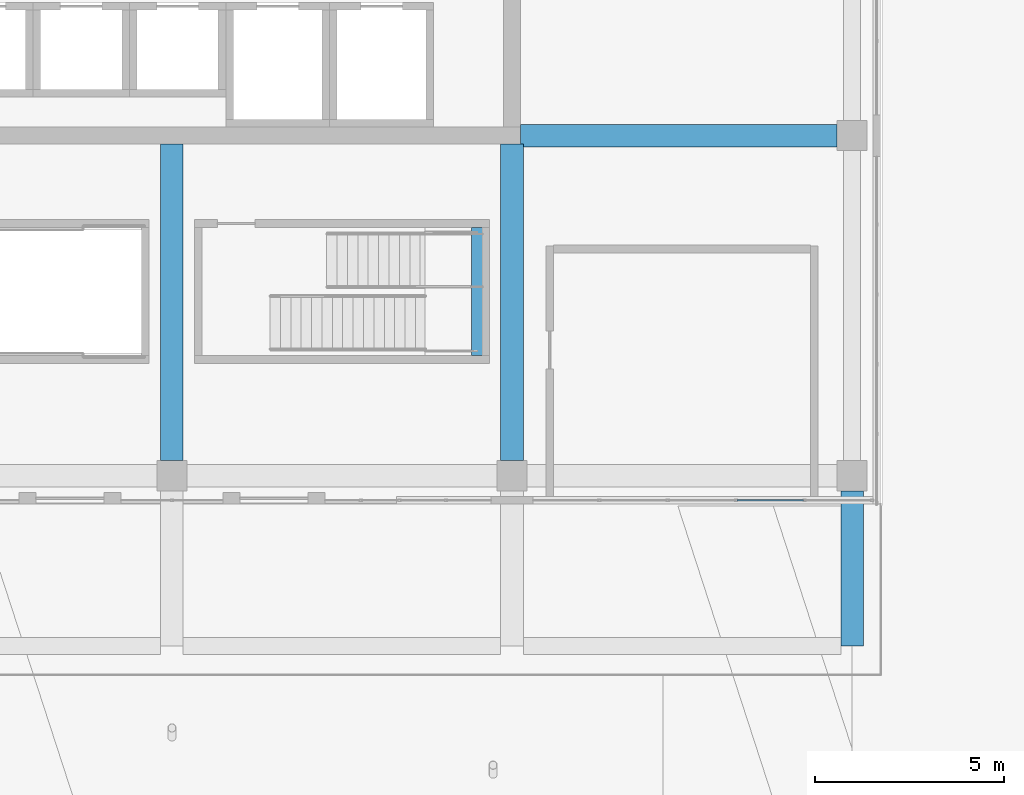
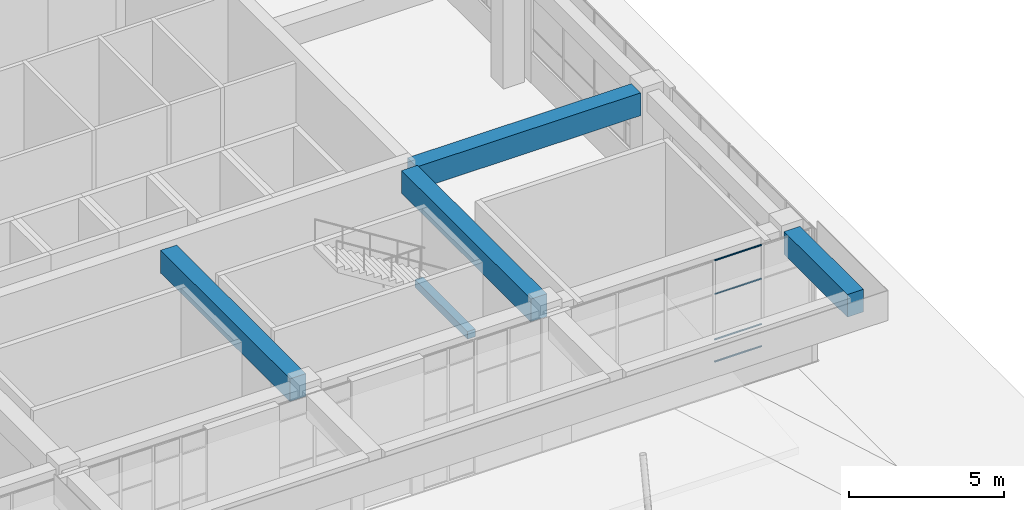
# One storey, part 33 of 72: 5 beams, 4 members, 1 element without a shape of its own.
"""IFC4 building model written with IfcOpenShell, lengths in metres."""

from ifc_helpers import new_model, si_unit, direction, frame, origin, origin_2d, place, context, subcontext, project, spatial, rectangle, hollow_rectangle, extrude, material, layer, layer_set, material_profile, profile_set, type_object, element, aggregate, save


model = new_model("IFC4")

# Units and contexts
model_context = context("Model", 3, precision=1e-05, world=origin(), true_north=direction((0.0, 1.0)))
body_context = subcontext(model_context, "Body", "Model", "MODEL_VIEW")
ifc_project = project(units=[si_unit("LENGTHUNIT", "METRE"), si_unit("AREAUNIT", "SQUARE_METRE"), si_unit("VOLUMEUNIT", "CUBIC_METRE"), si_unit("PLANEANGLEUNIT", "RADIAN"), si_unit("MASSUNIT", "GRAM", prefix="KILO")], contexts=[model_context])

# Site, building, storey
site_placement = place(None, origin())
site = spatial("IfcSite", under=ifc_project, at=site_placement, CompositionType="ELEMENT")
building_placement = place(site_placement, origin())
building = spatial("IfcBuilding", under=site, at=building_placement, Name="Tuart Plaza Theatre", CompositionType="ELEMENT")
storey_placement = place(building_placement, origin())
storey = spatial("IfcBuildingStorey", under=building, at=storey_placement, Name="L00", CompositionType="ELEMENT", Elevation=0.0)

# Beams
ifc_material_1 = material(Name="Concrete N40 (40 MPa)", Category="concrete")
ifc_material_profile_1 = material_profile(ifc_material_1, rectangle(XDim=0.300048828125, YDim=0.300048828125, at=origin_2d()), Name="BEAM 300x300 Concrete N40 (40 MPa)")
ifc_profile_set_1 = profile_set([ifc_material_profile_1], Name="Concrete N40 (40 MPa)")
beam_type_1 = type_object("IfcBeamType", Name="BEAM 300x300 Concrete N40 (40 MPa)", PredefinedType="BEAM", material=ifc_profile_set_1)
beam_1_placement = place(storey_placement, frame((140.080078125, 59.175048828125, 2.39990234375), z_axis=(0.0, 1.0, 0.0), x_axis=(-1.0, 0.0, 0.0)))
element("IfcBeam", 1, at=beam_1_placement, inside=storey, type_object=beam_type_1, Name="RB496", PredefinedType="BEAM", context=body_context, shape_type="SweptSolid", body=[
    extrude(rectangle(XDim=0.300048828125, YDim=0.300048828125, at=origin_2d()), origin(), (0.0, 0.0, 1.0), 3.39990234375),
])
ifc_material_2 = material(Name="Concrete N40 (40 MPa)", Category="concrete")
ifc_material_profile_2 = material_profile(ifc_material_2, rectangle(XDim=0.60009765625, YDim=0.89990234375, at=origin_2d()), Name="BEAM 600x900 Concrete N40 (40 MPa)")
ifc_profile_set_2 = profile_set([ifc_material_profile_2], Name="Concrete N40 (40 MPa)")
beam_type_2 = type_object("IfcBeamType", Name="BEAM 600x900 Concrete N40 (40 MPa)", PredefinedType="BEAM", material=ifc_profile_set_2)
for number, where, z_axis, x_axis, name in (
    (2, (132.0, 56.39990234375, 4.800048828125), (0.0, 1.0, 0.0), (-1.0, 0.0, 0.0), "RB143"),
    (3, (141.0, 56.39990234375, 4.800048828125), (0.0, 1.0, 0.0), (-1.0, 0.0, 0.0), "RB150"),
    (4, (141.22509765625, 65.0, 4.800048828125), (1.0, 0.0, 0.0), (0.0, 1.0, 0.0), "RB154"),
):
    element("IfcBeam", number, at=place(storey_placement, frame(where, z_axis=z_axis, x_axis=x_axis)), inside=storey, type_object=beam_type_2, Name=name, PredefinedType="BEAM", context=body_context, shape_type="SweptSolid", body=[
        extrude(rectangle(XDim=0.60009765625, YDim=0.89990234375, at=origin_2d()), origin(), (0.0, 0.0, 1.0), 8.375),
    ])
beam_2_placement = place(storey_placement, frame((150.0, 51.5, 4.800048828125), z_axis=(0.0, 1.0, 0.0), x_axis=(-1.0, 0.0, 0.0)))
element("IfcBeam", 5, at=beam_2_placement, inside=storey, type_object=beam_type_2, Name="RB157", PredefinedType="BEAM", context=body_context, shape_type="SweptSolid", body=[
    extrude(rectangle(XDim=0.60009765625, YDim=0.89990234375, at=origin_2d()), origin(), (0.0, 0.0, 1.0), 4.10009765625),
])

# Curtain wall, members
ifc_material_3 = material(Name="Aluminium and glass", Category="aluminium")
ifc_layer = layer(ifc_material_3, 0.10009765625)
ifc_layer_set = layer_set([ifc_layer], Name="CURTAIN WALL 1800 module")
curtain_wall_type = type_object("IfcCurtainWallType", Name="CURTAIN WALL 1800 module", PredefinedType="NOTDEFINED", material=ifc_layer_set)
curtain_wall_placement = place(storey_placement, origin())
curtain_wall = element("IfcCurtainWall", 6, at=curtain_wall_placement, inside=storey, type_object=curtain_wall_type, Name="CW66", PredefinedType="NOTDEFINED")
ifc_material_4 = material(Name="Aluminium 6063-T5", Category="aluminium")
ifc_material_profile_3 = material_profile(ifc_material_4, hollow_rectangle(XDim=0.050048828125, YDim=0.050048828125, WallThickness=0.00390625, InnerFilletRadius=0.00390625, OuterFilletRadius=0.008056640625, at=origin_2d()), Name="RHS 50x50x4")
ifc_profile_set_3 = profile_set([ifc_material_profile_3], Name="Aluminium 6063-T5")
member_type = type_object("IfcMemberType", Name="TRANSOM RHS 50x50x4", PredefinedType="USERDEFINED", material=ifc_profile_set_3)
member_1_placement = place(storey_placement, frame((146.955078125, 55.35009765625, 1.22509765625), z_axis=(1.0, 0.0, 0.0), x_axis=(0.0, 1.0, 0.0)))
member_1 = element("IfcMember", 7, at=member_1_placement, type_object=member_type, Name="CW66 transom 4.1", ObjectType="TRANSOM", PredefinedType="USERDEFINED", context=body_context, shape_type="SweptSolid", body=[
    extrude(hollow_rectangle(XDim=0.050048828125, YDim=0.050048828125, WallThickness=0.00390625, InnerFilletRadius=0.00390625, OuterFilletRadius=0.008056640625, at=origin_2d()), origin(), (0.0, 0.0, 1.0), 1.760009765625),
])
member_2_placement = place(storey_placement, frame((146.955078125, 55.35009765625, 2.10009765625), z_axis=(1.0, 0.0, 0.0), x_axis=(0.0, 1.0, 0.0)))
member_2 = element("IfcMember", 8, at=member_2_placement, type_object=member_type, Name="CW66 transom 4.2", ObjectType="TRANSOM", PredefinedType="USERDEFINED", context=body_context, shape_type="SweptSolid", body=[
    extrude(hollow_rectangle(XDim=0.050048828125, YDim=0.050048828125, WallThickness=0.00390625, InnerFilletRadius=0.00390625, OuterFilletRadius=0.008056640625, at=origin_2d()), origin(), (0.0, 0.0, 1.0), 1.760009765625),
])
member_3_placement = place(storey_placement, frame((146.955078125, 55.35009765625, 3.89990234375), z_axis=(1.0, 0.0, 0.0), x_axis=(0.0, 1.0, 0.0)))
member_3 = element("IfcMember", 9, at=member_3_placement, type_object=member_type, Name="CW66 transom 4.3", ObjectType="TRANSOM", PredefinedType="USERDEFINED", context=body_context, shape_type="SweptSolid", body=[
    extrude(hollow_rectangle(XDim=0.050048828125, YDim=0.050048828125, WallThickness=0.00390625, InnerFilletRadius=0.00390625, OuterFilletRadius=0.008056640625, at=origin_2d()), origin(), (0.0, 0.0, 1.0), 1.760009765625),
])
member_4_placement = place(storey_placement, frame((146.955078125, 55.35009765625, 5.22509765625), z_axis=(1.0, 0.0, 0.0), x_axis=(0.0, 1.0, 0.0)))
member_4 = element("IfcMember", 10, at=member_4_placement, type_object=member_type, Name="CW66 transom 4.4", ObjectType="TRANSOM", PredefinedType="USERDEFINED", context=body_context, shape_type="SweptSolid", body=[
    extrude(hollow_rectangle(XDim=0.050048828125, YDim=0.050048828125, WallThickness=0.00390625, InnerFilletRadius=0.00390625, OuterFilletRadius=0.008056640625, at=origin_2d()), origin(), (0.0, 0.0, 1.0), 1.760009765625),
])
aggregate(curtain_wall, [member_1, member_2, member_3, member_4])

save(model, "model.ifc")
